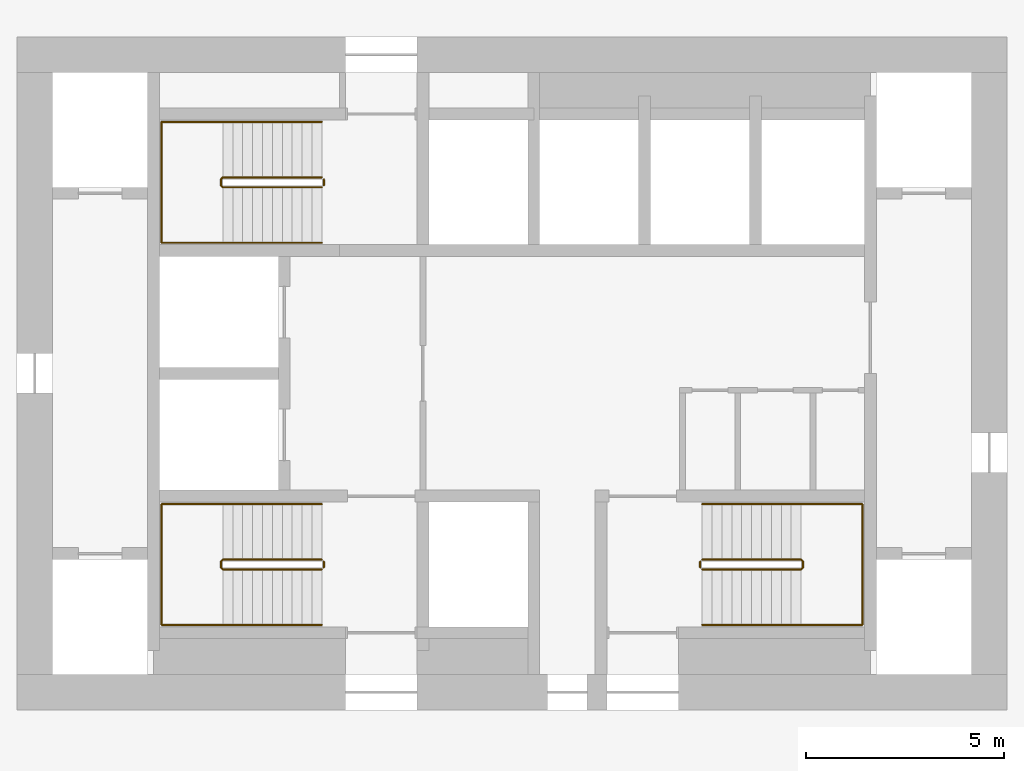
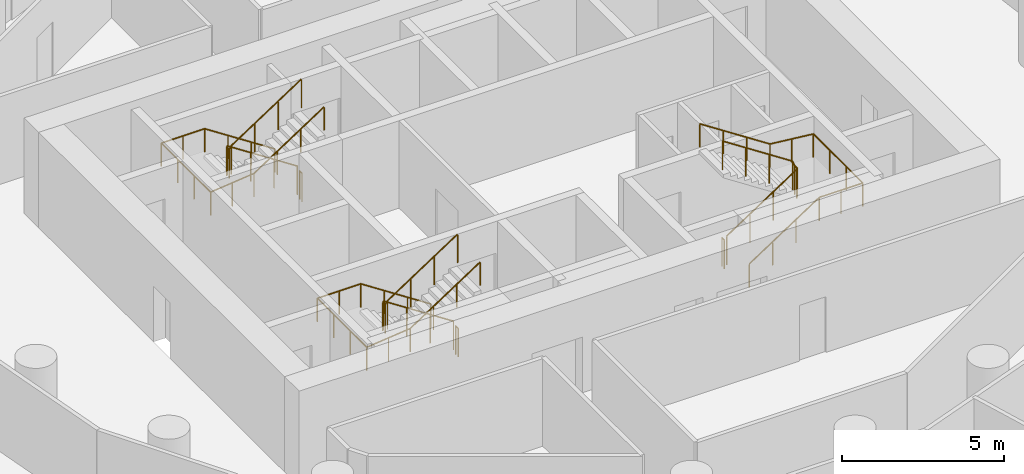
# One storey, part 10 of 10: 9 railings.
"""IFC4 building model written with IfcOpenShell, lengths in metres."""

from ifc_helpers import new_model, si_unit, direction, frame, origin, origin_2d, place, context, subcontext, project, spatial, circle, extrude, material, type_object, element, save


model = new_model("IFC4")

# Units and contexts
model_context = context("Model", 3, precision=1e-05, world=origin(), true_north=direction((0.0, 1.0)))
body_context = subcontext(model_context, "Body", "Model", "MODEL_VIEW")
ifc_project = project(units=[si_unit("LENGTHUNIT", "METRE"), si_unit("AREAUNIT", "SQUARE_METRE"), si_unit("VOLUMEUNIT", "CUBIC_METRE"), si_unit("PLANEANGLEUNIT", "RADIAN"), si_unit("MASSUNIT", "GRAM", prefix="KILO")], contexts=[model_context])

# Site, building, storey
site_placement = place(None, origin())
site = spatial("IfcSite", under=ifc_project, at=site_placement, CompositionType="ELEMENT")
building_placement = place(site_placement, origin())
building = spatial("IfcBuilding", under=site, at=building_placement, Name="Tracery Tower", CompositionType="ELEMENT")
storey_placement = place(building_placement, frame((0.0, 0.0, 129.60009765625)))
storey = spatial("IfcBuildingStorey", under=building, at=storey_placement, Name="L32", CompositionType="ELEMENT", Elevation=129.60009765625)

# Railings
ifc_material_1 = material(Name="Stainless steel and laminated glass", Category="steel")
railing_type_1 = type_object("IfcRailingType", Name="Stair guard 1100", PredefinedType="GUARDRAIL", material=ifc_material_1)
railing_1_placement = place(storey_placement, frame((-4.800048828125, -4.699951171875, 0.16357421875)))
element("IfcRailing", 1, at=railing_1_placement, inside=storey, type_object=railing_type_1, Name="L32 stair ST1 guard 1", PredefinedType="GUARDRAIL", context=body_context, shape_type="SweptSolid", body=[
    extrude(circle(Radius=0.02392578125, at=origin_2d()), frame((0.0, 0.0, 1.076171875), z_axis=(-0.836721939367, 0.0, 0.547627972425), x_axis=(0.0, -1.0, 0.0)), (0.0, 0.0, 1.0), 2.98779296875),
    extrude(circle(Radius=0.02392578125, at=origin_2d()), frame((-2.5, 0.0, 2.71240234375), z_axis=(-0.707106781187, -0.707106781187, 0.0), x_axis=(0.707106781187, -0.707106781187, 0.0)), (0.0, 0.0, 1.0), 0.07080078125),
    extrude(circle(Radius=0.02392578125, at=origin_2d()), frame((-2.550048828125, -0.050048828125, 2.71240234375), z_axis=(0.0, -1.0, 0.0), x_axis=(1.0, 0.0, 0.0)), (0.0, 0.0, 1.0), 0.14990234375),
    extrude(circle(Radius=0.02392578125, at=origin_2d()), frame((-2.550048828125, -0.199951171875, 2.71240234375), z_axis=(0.280456126637, -0.280456126637, 0.917980785237), x_axis=(0.707106781187, 0.707106781187, 0.0)), (0.0, 0.0, 1.0), 0.178466796875),
    extrude(circle(Radius=0.02392578125, at=origin_2d()), frame((-2.5, -0.25, 2.8759765625), z_axis=(0.836721939367, 0.0, 0.547627972425), x_axis=(0.0, 1.0, 0.0)), (0.0, 0.0, 1.0), 2.98779296875),
    extrude(circle(Radius=0.02099609375, at=origin_2d()), origin(), (0.0, 0.0, 1.0), 1.052001953125),
    extrude(circle(Radius=0.02099609375, at=origin_2d()), frame((-0.833251953125, 0.0, 0.54541015625)), (0.0, 0.0, 1.0), 1.052001953125),
    extrude(circle(Radius=0.02099609375, at=origin_2d()), frame((-1.666748046875, 0.0, 1.0908203125)), (0.0, 0.0, 1.0), 1.052001953125),
    extrude(circle(Radius=0.02099609375, at=origin_2d()), frame((-2.5, 0.0, 1.63623046875)), (0.0, 0.0, 1.0), 1.052001953125),
    extrude(circle(Radius=0.02099609375, at=origin_2d()), frame((-2.550048828125, -0.050048828125, 1.63623046875)), (0.0, 0.0, 1.0), 1.052001953125),
    extrude(circle(Radius=0.02099609375, at=origin_2d()), frame((-2.550048828125, -0.199951171875, 1.63623046875)), (0.0, 0.0, 1.0), 1.052001953125),
    extrude(circle(Radius=0.02099609375, at=origin_2d()), frame((-2.5, -0.25, 1.800048828125)), (0.0, 0.0, 1.0), 1.052001953125),
    extrude(circle(Radius=0.02099609375, at=origin_2d()), frame((-1.666748046875, -0.25, 2.345458984375)), (0.0, 0.0, 1.0), 1.052001953125),
    extrude(circle(Radius=0.02099609375, at=origin_2d()), frame((-0.833251953125, -0.25, 2.890869140625)), (0.0, 0.0, 1.0), 1.052001953125),
    extrude(circle(Radius=0.02099609375, at=origin_2d()), frame((0.0, -0.25, 3.436279296875)), (0.0, 0.0, 1.0), 1.052001953125),
])
railing_2_placement = place(storey_placement, frame((-4.75, -4.75, 0.0)))
element("IfcRailing", 2, at=railing_2_placement, inside=storey, type_object=railing_type_1, Name="L32 stair ST1 guard 2", PredefinedType="GUARDRAIL", context=body_context, shape_type="SweptSolid", body=[
    extrude(circle(Radius=0.02392578125, at=origin_2d()), frame((0.0, 0.0, 1.076171875), z_axis=(0.0, -1.0, 0.0), x_axis=(1.0, 0.0, 0.0)), (0.0, 0.0, 1.0), 0.14990234375),
    extrude(circle(Radius=0.02099609375, at=origin_2d()), origin(), (0.0, 0.0, 1.0), 1.052001953125),
    extrude(circle(Radius=0.02099609375, at=origin_2d()), frame((0.0, -0.14990234375, 0.0)), (0.0, 0.0, 1.0), 1.052001953125),
])
railing_3_placement = place(storey_placement, frame((-4.800048828125, 4.949951171875, 0.16357421875)))
element("IfcRailing", 3, at=railing_3_placement, inside=storey, type_object=railing_type_1, Name="L32 stair ST3 guard 1", PredefinedType="GUARDRAIL", context=body_context, shape_type="SweptSolid", body=[
    extrude(circle(Radius=0.02392578125, at=origin_2d()), frame((0.0, 0.0, 1.076171875), z_axis=(-0.836721939367, 0.0, 0.547627972425), x_axis=(0.0, -1.0, 0.0)), (0.0, 0.0, 1.0), 2.98779296875),
    extrude(circle(Radius=0.02392578125, at=origin_2d()), frame((-2.5, 0.0, 2.71240234375), z_axis=(-0.707106781187, -0.707106781187, 0.0), x_axis=(0.707106781187, -0.707106781187, 0.0)), (0.0, 0.0, 1.0), 0.07080078125),
    extrude(circle(Radius=0.02392578125, at=origin_2d()), frame((-2.550048828125, -0.050048828125, 2.71240234375), z_axis=(0.0, -1.0, 0.0), x_axis=(1.0, 0.0, 0.0)), (0.0, 0.0, 1.0), 0.14990234375),
    extrude(circle(Radius=0.02392578125, at=origin_2d()), frame((-2.550048828125, -0.199951171875, 2.71240234375), z_axis=(0.280456126637, -0.280456126637, 0.917980785237), x_axis=(0.707106781187, 0.707106781187, 0.0)), (0.0, 0.0, 1.0), 0.178466796875),
    extrude(circle(Radius=0.02392578125, at=origin_2d()), frame((-2.5, -0.25, 2.8759765625), z_axis=(0.836721939367, 0.0, 0.547627972425), x_axis=(0.0, 1.0, 0.0)), (0.0, 0.0, 1.0), 2.98779296875),
    extrude(circle(Radius=0.02099609375, at=origin_2d()), origin(), (0.0, 0.0, 1.0), 1.052001953125),
    extrude(circle(Radius=0.02099609375, at=origin_2d()), frame((-0.833251953125, 0.0, 0.54541015625)), (0.0, 0.0, 1.0), 1.052001953125),
    extrude(circle(Radius=0.02099609375, at=origin_2d()), frame((-1.666748046875, 0.0, 1.0908203125)), (0.0, 0.0, 1.0), 1.052001953125),
    extrude(circle(Radius=0.02099609375, at=origin_2d()), frame((-2.5, 0.0, 1.63623046875)), (0.0, 0.0, 1.0), 1.052001953125),
    extrude(circle(Radius=0.02099609375, at=origin_2d()), frame((-2.550048828125, -0.050048828125, 1.63623046875)), (0.0, 0.0, 1.0), 1.052001953125),
    extrude(circle(Radius=0.02099609375, at=origin_2d()), frame((-2.550048828125, -0.199951171875, 1.63623046875)), (0.0, 0.0, 1.0), 1.052001953125),
    extrude(circle(Radius=0.02099609375, at=origin_2d()), frame((-2.5, -0.25, 1.800048828125)), (0.0, 0.0, 1.0), 1.052001953125),
    extrude(circle(Radius=0.02099609375, at=origin_2d()), frame((-1.666748046875, -0.25, 2.345458984375)), (0.0, 0.0, 1.0), 1.052001953125),
    extrude(circle(Radius=0.02099609375, at=origin_2d()), frame((-0.833251953125, -0.25, 2.890869140625)), (0.0, 0.0, 1.0), 1.052001953125),
    extrude(circle(Radius=0.02099609375, at=origin_2d()), frame((0.0, -0.25, 3.436279296875)), (0.0, 0.0, 1.0), 1.052001953125),
])
railing_4_placement = place(storey_placement, frame((-4.75, 4.89990234375, 0.0)))
element("IfcRailing", 4, at=railing_4_placement, inside=storey, type_object=railing_type_1, Name="L32 stair ST3 guard 2", PredefinedType="GUARDRAIL", context=body_context, shape_type="SweptSolid", body=[
    extrude(circle(Radius=0.02392578125, at=origin_2d()), frame((0.0, 0.0, 1.076171875), z_axis=(0.0, -1.0, 0.0), x_axis=(1.0, 0.0, 0.0)), (0.0, 0.0, 1.0), 0.14990234375),
    extrude(circle(Radius=0.02099609375, at=origin_2d()), origin(), (0.0, 0.0, 1.0), 1.052001953125),
    extrude(circle(Radius=0.02099609375, at=origin_2d()), frame((0.0, -0.14990234375, 0.0)), (0.0, 0.0, 1.0), 1.052001953125),
])
railing_5_placement = place(storey_placement, frame((4.800048828125, -4.949951171875, 0.16357421875)))
element("IfcRailing", 5, at=railing_5_placement, inside=storey, type_object=railing_type_1, Name="L32 stair ST2 guard 1", PredefinedType="GUARDRAIL", context=body_context, shape_type="SweptSolid", body=[
    extrude(circle(Radius=0.02392578125, at=origin_2d()), frame((0.0, 0.0, 1.076171875), z_axis=(0.836721939367, 0.0, 0.547627972425), x_axis=(0.0, 1.0, 0.0)), (0.0, 0.0, 1.0), 2.98779296875),
    extrude(circle(Radius=0.02392578125, at=origin_2d()), frame((2.5, 0.0, 2.71240234375), z_axis=(0.707106781187, 0.707106781187, 0.0), x_axis=(-0.707106781187, 0.707106781187, 0.0)), (0.0, 0.0, 1.0), 0.07080078125),
    extrude(circle(Radius=0.02392578125, at=origin_2d()), frame((2.550048828125, 0.050048828125, 2.71240234375), z_axis=(0.0, 1.0, 0.0), x_axis=(-1.0, 0.0, 0.0)), (0.0, 0.0, 1.0), 0.14990234375),
    extrude(circle(Radius=0.02392578125, at=origin_2d()), frame((2.550048828125, 0.199951171875, 2.71240234375), z_axis=(-0.280456126637, 0.280456126637, 0.917980785237), x_axis=(-0.707106781187, -0.707106781187, 0.0)), (0.0, 0.0, 1.0), 0.178466796875),
    extrude(circle(Radius=0.02392578125, at=origin_2d()), frame((2.5, 0.25, 2.8759765625), z_axis=(-0.836721939367, 0.0, 0.547627972425), x_axis=(0.0, -1.0, 0.0)), (0.0, 0.0, 1.0), 2.98779296875),
    extrude(circle(Radius=0.02099609375, at=origin_2d()), origin(), (0.0, 0.0, 1.0), 1.052001953125),
    extrude(circle(Radius=0.02099609375, at=origin_2d()), frame((0.833251953125, 0.0, 0.54541015625)), (0.0, 0.0, 1.0), 1.052001953125),
    extrude(circle(Radius=0.02099609375, at=origin_2d()), frame((1.666748046875, 0.0, 1.0908203125)), (0.0, 0.0, 1.0), 1.052001953125),
    extrude(circle(Radius=0.02099609375, at=origin_2d()), frame((2.5, 0.0, 1.63623046875)), (0.0, 0.0, 1.0), 1.052001953125),
    extrude(circle(Radius=0.02099609375, at=origin_2d()), frame((2.550048828125, 0.050048828125, 1.63623046875)), (0.0, 0.0, 1.0), 1.052001953125),
    extrude(circle(Radius=0.02099609375, at=origin_2d()), frame((2.550048828125, 0.199951171875, 1.63623046875)), (0.0, 0.0, 1.0), 1.052001953125),
    extrude(circle(Radius=0.02099609375, at=origin_2d()), frame((2.5, 0.25, 1.800048828125)), (0.0, 0.0, 1.0), 1.052001953125),
    extrude(circle(Radius=0.02099609375, at=origin_2d()), frame((1.666748046875, 0.25, 2.345458984375)), (0.0, 0.0, 1.0), 1.052001953125),
    extrude(circle(Radius=0.02099609375, at=origin_2d()), frame((0.833251953125, 0.25, 2.890869140625)), (0.0, 0.0, 1.0), 1.052001953125),
    extrude(circle(Radius=0.02099609375, at=origin_2d()), frame((0.0, 0.25, 3.436279296875)), (0.0, 0.0, 1.0), 1.052001953125),
])
railing_6_placement = place(storey_placement, frame((4.75, -4.89990234375, 0.0)))
element("IfcRailing", 6, at=railing_6_placement, inside=storey, type_object=railing_type_1, Name="L32 stair ST2 guard 2", PredefinedType="GUARDRAIL", context=body_context, shape_type="SweptSolid", body=[
    extrude(circle(Radius=0.02392578125, at=origin_2d()), frame((0.0, 0.0, 1.076171875), z_axis=(0.0, 1.0, 0.0), x_axis=(-1.0, 0.0, 0.0)), (0.0, 0.0, 1.0), 0.14990234375),
    extrude(circle(Radius=0.02099609375, at=origin_2d()), origin(), (0.0, 0.0, 1.0), 1.052001953125),
    extrude(circle(Radius=0.02099609375, at=origin_2d()), frame((0.0, 0.14990234375, 0.0)), (0.0, 0.0, 1.0), 1.052001953125),
])
ifc_material_2 = material(Name="Stainless steel and laminated glass", Category="steel")
railing_type_2 = type_object("IfcRailingType", Name="Stair handrail 900", PredefinedType="HANDRAIL", material=ifc_material_2)
railing_7_placement = place(storey_placement, frame((-4.800048828125, -3.300048828125, 0.16357421875)))
element("IfcRailing", 7, at=railing_7_placement, inside=storey, type_object=railing_type_2, Name="L32 stair ST1 handrail 1", PredefinedType="HANDRAIL", context=body_context, shape_type="SweptSolid", body=[
    extrude(circle(Radius=0.02392578125, at=origin_2d()), frame((0.0, 0.0, 0.8759765625), z_axis=(-0.836721939367, 0.0, 0.547627972425), x_axis=(0.0, -1.0, 0.0)), (0.0, 0.0, 1.0), 2.98779296875),
    extrude(circle(Radius=0.02392578125, at=origin_2d()), frame((-2.5, 0.0, 2.51220703125), z_axis=(-1.0, 0.0, 0.0), x_axis=(0.0, -1.0, 0.0)), (0.0, 0.0, 1.0), 1.550048828125),
    extrude(circle(Radius=0.02392578125, at=origin_2d()), frame((-4.050048828125, 0.0, 2.51220703125), z_axis=(0.0, -1.0, 0.0), x_axis=(1.0, 0.0, 0.0)), (0.0, 0.0, 1.0), 3.050048828125),
    extrude(circle(Radius=0.02392578125, at=origin_2d()), frame((-4.050048828125, -3.050048828125, 2.51220703125), z_axis=(0.994461594632, 0.0, 0.105100603244), x_axis=(0.0, 1.0, 0.0)), (0.0, 0.0, 1.0), 1.55859375),
    extrude(circle(Radius=0.02392578125, at=origin_2d()), frame((-2.5, -3.050048828125, 2.67578125), z_axis=(0.836721939367, 0.0, 0.547627972425), x_axis=(0.0, 1.0, 0.0)), (0.0, 0.0, 1.0), 2.98779296875),
    extrude(circle(Radius=0.02099609375, at=origin_2d()), origin(), (0.0, 0.0, 1.0), 0.851806640625),
    extrude(circle(Radius=0.02099609375, at=origin_2d()), frame((-0.833251953125, 0.0, 0.54541015625)), (0.0, 0.0, 1.0), 0.851806640625),
    extrude(circle(Radius=0.02099609375, at=origin_2d()), frame((-1.666748046875, 0.0, 1.0908203125)), (0.0, 0.0, 1.0), 0.851806640625),
    extrude(circle(Radius=0.02099609375, at=origin_2d()), frame((-2.5, 0.0, 1.63623046875)), (0.0, 0.0, 1.0), 0.851806640625),
    extrude(circle(Radius=0.02099609375, at=origin_2d()), frame((-3.27490234375, 0.0, 1.63623046875)), (0.0, 0.0, 1.0), 0.851806640625),
    extrude(circle(Radius=0.02099609375, at=origin_2d()), frame((-4.050048828125, 0.0, 1.63623046875)), (0.0, 0.0, 1.0), 0.851806640625),
    extrude(circle(Radius=0.02099609375, at=origin_2d()), frame((-4.050048828125, -1.0166015625, 1.63623046875)), (0.0, 0.0, 1.0), 0.851806640625),
    extrude(circle(Radius=0.02099609375, at=origin_2d()), frame((-4.050048828125, -2.033447265625, 1.63623046875)), (0.0, 0.0, 1.0), 0.851806640625),
    extrude(circle(Radius=0.02099609375, at=origin_2d()), frame((-4.050048828125, -3.050048828125, 1.63623046875)), (0.0, 0.0, 1.0), 0.851806640625),
    extrude(circle(Radius=0.02099609375, at=origin_2d()), frame((-3.27490234375, -3.050048828125, 1.71826171875)), (0.0, 0.0, 1.0), 0.851806640625),
    extrude(circle(Radius=0.02099609375, at=origin_2d()), frame((-2.5, -3.050048828125, 1.800048828125)), (0.0, 0.0, 1.0), 0.851806640625),
    extrude(circle(Radius=0.02099609375, at=origin_2d()), frame((-1.666748046875, -3.050048828125, 2.345458984375)), (0.0, 0.0, 1.0), 0.851806640625),
    extrude(circle(Radius=0.02099609375, at=origin_2d()), frame((-0.833251953125, -3.050048828125, 2.890869140625)), (0.0, 0.0, 1.0), 0.851806640625),
    extrude(circle(Radius=0.02099609375, at=origin_2d()), frame((0.0, -3.050048828125, 3.436279296875)), (0.0, 0.0, 1.0), 0.851806640625),
])
railing_8_placement = place(storey_placement, frame((-4.800048828125, 6.35009765625, 0.16357421875)))
element("IfcRailing", 8, at=railing_8_placement, inside=storey, type_object=railing_type_2, Name="L32 stair ST3 handrail 1", PredefinedType="HANDRAIL", context=body_context, shape_type="SweptSolid", body=[
    extrude(circle(Radius=0.02392578125, at=origin_2d()), frame((0.0, 0.0, 0.8759765625), z_axis=(-0.836721939367, 0.0, 0.547627972425), x_axis=(0.0, -1.0, 0.0)), (0.0, 0.0, 1.0), 2.98779296875),
    extrude(circle(Radius=0.02392578125, at=origin_2d()), frame((-2.5, 0.0, 2.51220703125), z_axis=(-1.0, 0.0, 0.0), x_axis=(0.0, -1.0, 0.0)), (0.0, 0.0, 1.0), 1.550048828125),
    extrude(circle(Radius=0.02392578125, at=origin_2d()), frame((-4.050048828125, 0.0, 2.51220703125), z_axis=(0.0, -1.0, 0.0), x_axis=(1.0, 0.0, 0.0)), (0.0, 0.0, 1.0), 3.050048828125),
    extrude(circle(Radius=0.02392578125, at=origin_2d()), frame((-4.050048828125, -3.050048828125, 2.51220703125), z_axis=(0.994461594632, 0.0, 0.105100603244), x_axis=(0.0, 1.0, 0.0)), (0.0, 0.0, 1.0), 1.55859375),
    extrude(circle(Radius=0.02392578125, at=origin_2d()), frame((-2.5, -3.050048828125, 2.67578125), z_axis=(0.836721939367, 0.0, 0.547627972425), x_axis=(0.0, 1.0, 0.0)), (0.0, 0.0, 1.0), 2.98779296875),
    extrude(circle(Radius=0.02099609375, at=origin_2d()), origin(), (0.0, 0.0, 1.0), 0.851806640625),
    extrude(circle(Radius=0.02099609375, at=origin_2d()), frame((-0.833251953125, 0.0, 0.54541015625)), (0.0, 0.0, 1.0), 0.851806640625),
    extrude(circle(Radius=0.02099609375, at=origin_2d()), frame((-1.666748046875, 0.0, 1.0908203125)), (0.0, 0.0, 1.0), 0.851806640625),
    extrude(circle(Radius=0.02099609375, at=origin_2d()), frame((-2.5, 0.0, 1.63623046875)), (0.0, 0.0, 1.0), 0.851806640625),
    extrude(circle(Radius=0.02099609375, at=origin_2d()), frame((-3.27490234375, 0.0, 1.63623046875)), (0.0, 0.0, 1.0), 0.851806640625),
    extrude(circle(Radius=0.02099609375, at=origin_2d()), frame((-4.050048828125, 0.0, 1.63623046875)), (0.0, 0.0, 1.0), 0.851806640625),
    extrude(circle(Radius=0.02099609375, at=origin_2d()), frame((-4.050048828125, -1.0166015625, 1.63623046875)), (0.0, 0.0, 1.0), 0.851806640625),
    extrude(circle(Radius=0.02099609375, at=origin_2d()), frame((-4.050048828125, -2.033447265625, 1.63623046875)), (0.0, 0.0, 1.0), 0.851806640625),
    extrude(circle(Radius=0.02099609375, at=origin_2d()), frame((-4.050048828125, -3.050048828125, 1.63623046875)), (0.0, 0.0, 1.0), 0.851806640625),
    extrude(circle(Radius=0.02099609375, at=origin_2d()), frame((-3.27490234375, -3.050048828125, 1.71826171875)), (0.0, 0.0, 1.0), 0.851806640625),
    extrude(circle(Radius=0.02099609375, at=origin_2d()), frame((-2.5, -3.050048828125, 1.800048828125)), (0.0, 0.0, 1.0), 0.851806640625),
    extrude(circle(Radius=0.02099609375, at=origin_2d()), frame((-1.666748046875, -3.050048828125, 2.345458984375)), (0.0, 0.0, 1.0), 0.851806640625),
    extrude(circle(Radius=0.02099609375, at=origin_2d()), frame((-0.833251953125, -3.050048828125, 2.890869140625)), (0.0, 0.0, 1.0), 0.851806640625),
    extrude(circle(Radius=0.02099609375, at=origin_2d()), frame((0.0, -3.050048828125, 3.436279296875)), (0.0, 0.0, 1.0), 0.851806640625),
])
railing_9_placement = place(storey_placement, frame((4.800048828125, -6.35009765625, 0.16357421875)))
element("IfcRailing", 9, at=railing_9_placement, inside=storey, type_object=railing_type_2, Name="L32 stair ST2 handrail 1", PredefinedType="HANDRAIL", context=body_context, shape_type="SweptSolid", body=[
    extrude(circle(Radius=0.02392578125, at=origin_2d()), frame((0.0, 0.0, 0.8759765625), z_axis=(0.836721939367, 0.0, 0.547627972425), x_axis=(0.0, 1.0, 0.0)), (0.0, 0.0, 1.0), 2.98779296875),
    extrude(circle(Radius=0.02392578125, at=origin_2d()), frame((2.5, 0.0, 2.51220703125), z_axis=(1.0, 0.0, 0.0), x_axis=(0.0, 1.0, 0.0)), (0.0, 0.0, 1.0), 1.550048828125),
    extrude(circle(Radius=0.02392578125, at=origin_2d()), frame((4.050048828125, 0.0, 2.51220703125), z_axis=(0.0, 1.0, 0.0), x_axis=(-1.0, 0.0, 0.0)), (0.0, 0.0, 1.0), 3.050048828125),
    extrude(circle(Radius=0.02392578125, at=origin_2d()), frame((4.050048828125, 3.050048828125, 2.51220703125), z_axis=(-0.994461594632, 0.0, 0.105100603244), x_axis=(0.0, -1.0, 0.0)), (0.0, 0.0, 1.0), 1.55859375),
    extrude(circle(Radius=0.02392578125, at=origin_2d()), frame((2.5, 3.050048828125, 2.67578125), z_axis=(-0.836721939367, 0.0, 0.547627972425), x_axis=(0.0, -1.0, 0.0)), (0.0, 0.0, 1.0), 2.98779296875),
    extrude(circle(Radius=0.02099609375, at=origin_2d()), origin(), (0.0, 0.0, 1.0), 0.851806640625),
    extrude(circle(Radius=0.02099609375, at=origin_2d()), frame((0.833251953125, 0.0, 0.54541015625)), (0.0, 0.0, 1.0), 0.851806640625),
    extrude(circle(Radius=0.02099609375, at=origin_2d()), frame((1.666748046875, 0.0, 1.0908203125)), (0.0, 0.0, 1.0), 0.851806640625),
    extrude(circle(Radius=0.02099609375, at=origin_2d()), frame((2.5, 0.0, 1.63623046875)), (0.0, 0.0, 1.0), 0.851806640625),
    extrude(circle(Radius=0.02099609375, at=origin_2d()), frame((3.27490234375, 0.0, 1.63623046875)), (0.0, 0.0, 1.0), 0.851806640625),
    extrude(circle(Radius=0.02099609375, at=origin_2d()), frame((4.050048828125, 0.0, 1.63623046875)), (0.0, 0.0, 1.0), 0.851806640625),
    extrude(circle(Radius=0.02099609375, at=origin_2d()), frame((4.050048828125, 1.0166015625, 1.63623046875)), (0.0, 0.0, 1.0), 0.851806640625),
    extrude(circle(Radius=0.02099609375, at=origin_2d()), frame((4.050048828125, 2.033447265625, 1.63623046875)), (0.0, 0.0, 1.0), 0.851806640625),
    extrude(circle(Radius=0.02099609375, at=origin_2d()), frame((4.050048828125, 3.050048828125, 1.63623046875)), (0.0, 0.0, 1.0), 0.851806640625),
    extrude(circle(Radius=0.02099609375, at=origin_2d()), frame((3.27490234375, 3.050048828125, 1.71826171875)), (0.0, 0.0, 1.0), 0.851806640625),
    extrude(circle(Radius=0.02099609375, at=origin_2d()), frame((2.5, 3.050048828125, 1.800048828125)), (0.0, 0.0, 1.0), 0.851806640625),
    extrude(circle(Radius=0.02099609375, at=origin_2d()), frame((1.666748046875, 3.050048828125, 2.345458984375)), (0.0, 0.0, 1.0), 0.851806640625),
    extrude(circle(Radius=0.02099609375, at=origin_2d()), frame((0.833251953125, 3.050048828125, 2.890869140625)), (0.0, 0.0, 1.0), 0.851806640625),
    extrude(circle(Radius=0.02099609375, at=origin_2d()), frame((0.0, 3.050048828125, 3.436279296875)), (0.0, 0.0, 1.0), 0.851806640625),
])

save(model, "model.ifc")
